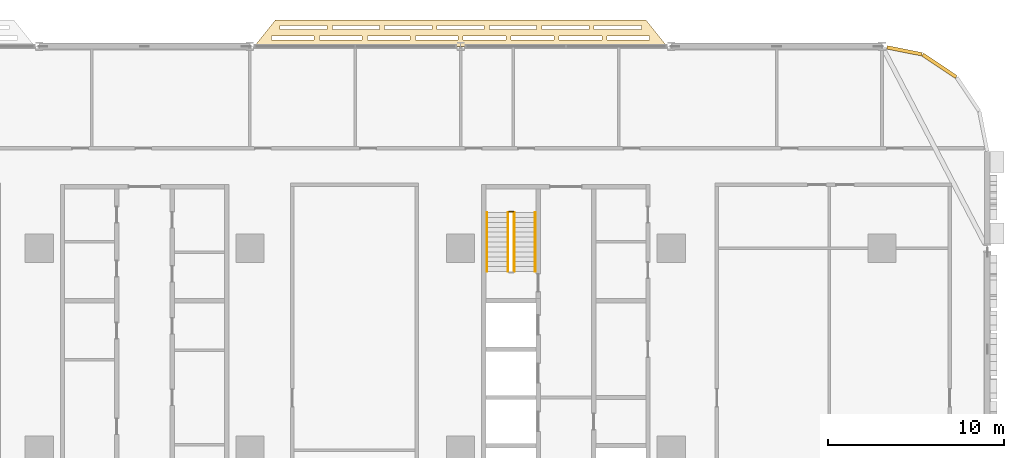
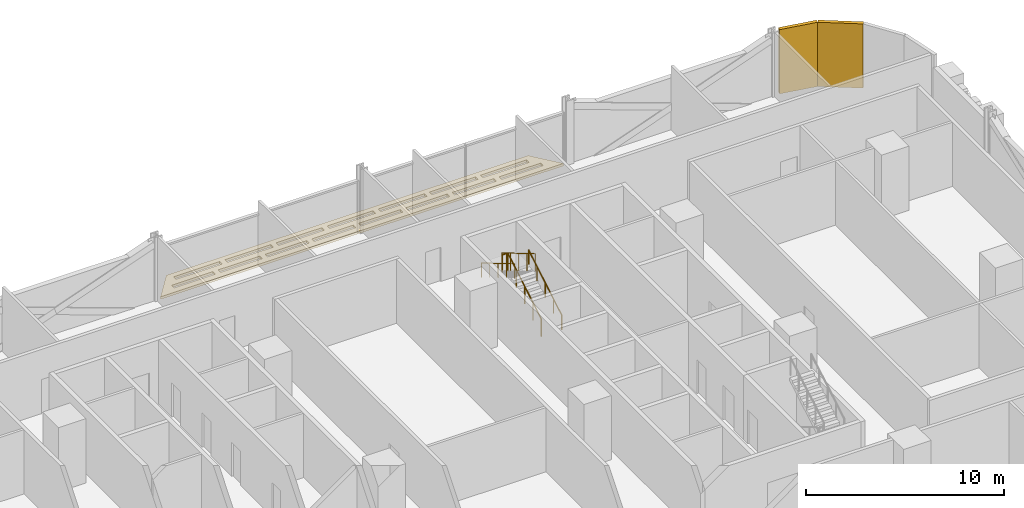
# One storey, part 27 of 28: 5 railings, 3 coverings.
"""IFC4 building model written with IfcOpenShell, lengths in metres."""

from ifc_helpers import new_model, si_unit, direction, frame, origin, origin_2d, place, context, subcontext, project, spatial, polyline, rectangle, circle, outline, extrude, material, layer, layer_set, type_object, element, save


model = new_model("IFC4")

# Units and contexts
model_context = context("Model", 3, precision=1e-05, world=origin(), true_north=direction((0.0, 1.0)))
body_context = subcontext(model_context, "Body", "Model", "MODEL_VIEW")
ifc_project = project(units=[si_unit("LENGTHUNIT", "METRE"), si_unit("AREAUNIT", "SQUARE_METRE"), si_unit("VOLUMEUNIT", "CUBIC_METRE"), si_unit("PLANEANGLEUNIT", "RADIAN"), si_unit("MASSUNIT", "GRAM", prefix="KILO")], contexts=[model_context])

# Site, building, storey
site_placement = place(None, origin())
site = spatial("IfcSite", under=ifc_project, at=site_placement, CompositionType="ELEMENT")
building_placement = place(site_placement, origin())
building = spatial("IfcBuilding", under=site, at=building_placement, Name="Mahtab Terrace Research Tower", CompositionType="ELEMENT")
storey_placement = place(building_placement, frame((0.0, 0.0, 33.0)))
storey = spatial("IfcBuildingStorey", under=building, at=storey_placement, Name="L07", CompositionType="ELEMENT", Elevation=33.0)

# Coverings
ifc_material_1 = material(Name="Black aluminium cladding panel", Category="aluminium")
ifc_layer_1 = layer(ifc_material_1, 0.199951171875)
ifc_layer_set_1 = layer_set([ifc_layer_1], Name="Black metal corner cladding 200")
covering_type_1 = type_object("IfcCoveringType", Name="Black metal corner cladding 200", PredefinedType="CLADDING", material=ifc_layer_set_1)
covering_1_placement = place(storey_placement, frame((45.26953125, 21.89306640625, 0.0), z_axis=(0.0, 0.0, 1.0), x_axis=(-0.831655794326, 0.555291490808, 0.0)))
element("IfcCovering", 1, at=covering_1_placement, inside=storey, type_object=covering_type_1, Name="Corner cladding L07 1", PredefinedType="CLADDING", context=body_context, shape_type="SweptSolid", body=[
    extrude(rectangle(XDim=2.30126953125, YDim=0.199951171875, at=origin_2d()), origin(), (0.0, 0.0, 1.0), 3.9599609375),
])
covering_2_placement = place(storey_placement, frame((43.28173828125, 22.744873046875, 0.0), z_axis=(0.0, 0.0, 1.0), x_axis=(-0.980760981187, 0.195212442692, 0.0)))
element("IfcCovering", 2, at=covering_2_placement, inside=storey, type_object=covering_type_1, Name="Corner cladding L07 2", PredefinedType="CLADDING", context=body_context, shape_type="SweptSolid", body=[
    extrude(rectangle(XDim=2.0283203125, YDim=0.199951171875, at=origin_2d()), origin(), (0.0, 0.0, 1.0), 3.9599609375),
])
ifc_material_2 = material(Name="Black anodised aluminium", Category="aluminium")
ifc_layer_2 = layer(ifc_material_2, 0.14990234375)
ifc_layer_set_2 = layer_set([ifc_layer_2], Name="Horizontal sunshade band")
covering_type_2 = type_object("IfcCoveringType", Name="Horizontal sunshade band", PredefinedType="CLADDING", material=ifc_layer_set_2)
covering_3_placement = place(storey_placement, frame((0.0, 0.0, -0.14990234375)))
element("IfcCovering", 3, at=covering_3_placement, inside=storey, type_object=covering_type_2, Name="Sunshade band L07 4", PredefinedType="CLADDING", context=body_context, shape_type="SweptSolid", body=[
    extrude(outline(polyline([(29.7509765625, 23.0), (6.2490234375, 23.0), (7.448974609375, 24.5), (28.551025390625, 24.5), (29.7509765625, 23.0)]), holes=[polyline([(28.77099609375, 23.35009765625), (26.341064453125, 23.35009765625), (26.341064453125, 23.60009765625), (28.77099609375, 23.60009765625), (28.77099609375, 23.35009765625)]), polyline([(26.041015625, 23.35009765625), (23.611083984375, 23.35009765625), (23.611083984375, 23.60009765625), (26.041015625, 23.60009765625), (26.041015625, 23.35009765625)]), polyline([(23.31103515625, 23.35009765625), (20.8798828125, 23.35009765625), (20.8798828125, 23.60009765625), (23.31103515625, 23.60009765625), (23.31103515625, 23.35009765625)]), polyline([(20.580078125, 23.35009765625), (18.14990234375, 23.35009765625), (18.14990234375, 23.60009765625), (20.580078125, 23.60009765625), (20.580078125, 23.35009765625)]), polyline([(17.85009765625, 23.35009765625), (15.419921875, 23.35009765625), (15.419921875, 23.60009765625), (17.85009765625, 23.60009765625), (17.85009765625, 23.35009765625)]), polyline([(15.1201171875, 23.35009765625), (12.68994140625, 23.35009765625), (12.68994140625, 23.60009765625), (15.1201171875, 23.60009765625), (15.1201171875, 23.35009765625)]), polyline([(12.389892578125, 23.35009765625), (9.958984375, 23.35009765625), (9.958984375, 23.60009765625), (12.389892578125, 23.60009765625), (12.389892578125, 23.35009765625)]), polyline([(9.658935546875, 23.35009765625), (7.22900390625, 23.35009765625), (7.22900390625, 23.60009765625), (9.658935546875, 23.60009765625), (9.658935546875, 23.35009765625)]), polyline([(28.291015625, 23.949951171875), (25.60791015625, 23.949951171875), (25.60791015625, 24.199951171875), (28.291015625, 24.199951171875), (28.291015625, 23.949951171875)]), polyline([(25.30810546875, 23.949951171875), (22.625, 23.949951171875), (22.625, 24.199951171875), (25.30810546875, 24.199951171875), (25.30810546875, 23.949951171875)]), polyline([(22.324951171875, 23.949951171875), (19.64208984375, 23.949951171875), (19.64208984375, 24.199951171875), (22.324951171875, 24.199951171875), (22.324951171875, 23.949951171875)]), polyline([(19.342041015625, 23.949951171875), (16.657958984375, 23.949951171875), (16.657958984375, 24.199951171875), (19.342041015625, 24.199951171875), (19.342041015625, 23.949951171875)]), polyline([(16.35791015625, 23.949951171875), (13.675048828125, 23.949951171875), (13.675048828125, 24.199951171875), (16.35791015625, 24.199951171875), (16.35791015625, 23.949951171875)]), polyline([(13.375, 23.949951171875), (10.69189453125, 23.949951171875), (10.69189453125, 24.199951171875), (13.375, 24.199951171875), (13.375, 23.949951171875)]), polyline([(10.39208984375, 23.949951171875), (7.708984375, 23.949951171875), (7.708984375, 24.199951171875), (10.39208984375, 24.199951171875), (10.39208984375, 23.949951171875)])]), origin(), (0.0, 0.0, 1.0), 0.14990234375),
])

# Railings
ifc_material_3 = material(Name="Stainless steel AISI 304", Category="steel")
railing_type_1 = type_object("IfcRailingType", Name="Stair guard 1100", PredefinedType="GUARDRAIL", material=ifc_material_3)
railing_1_placement = place(storey_placement, frame((21.050048828125, 10.175048828125, 0.165283203125)))
element("IfcRailing", 4, at=railing_1_placement, inside=storey, type_object=railing_type_1, Name="L07 ST3 stair guard 1", PredefinedType="GUARDRAIL", context=body_context, shape_type="SweptSolid", body=[
    extrude(circle(Radius=0.02392578125, at=origin_2d()), frame((0.0, 0.0, 1.076171875), z_axis=(0.0, 0.861011212953, 0.508585972249), x_axis=(-1.0, 0.0, 0.0)), (0.0, 0.0, 1.0), 3.90234375),
    extrude(circle(Radius=0.02099609375, at=origin_2d()), origin(), (0.0, 0.0, 1.0), 1.052001953125),
    extrude(circle(Radius=0.02099609375, at=origin_2d()), frame((0.0, 0.83984375, 0.49609375)), (0.0, 0.0, 1.0), 1.052001953125),
    extrude(circle(Radius=0.02099609375, at=origin_2d()), frame((0.0, 1.679931640625, 0.9921875)), (0.0, 0.0, 1.0), 1.052001953125),
    extrude(circle(Radius=0.02099609375, at=origin_2d()), frame((0.0, 2.52001953125, 1.488525390625)), (0.0, 0.0, 1.0), 1.052001953125),
    extrude(circle(Radius=0.02099609375, at=origin_2d()), frame((0.0, 3.35986328125, 1.984619140625)), (0.0, 0.0, 1.0), 1.052001953125),
])
railing_2_placement = place(storey_placement, frame((21.0, 13.5849609375, 2.14990234375)))
element("IfcRailing", 5, at=railing_2_placement, inside=storey, type_object=railing_type_1, Name="L07 ST3 stair guard 2", PredefinedType="GUARDRAIL", context=body_context, shape_type="SweptSolid", body=[
    extrude(circle(Radius=0.02392578125, at=origin_2d()), frame((0.0, 0.0, 1.076171875), z_axis=(-1.0, 0.0, 0.0), x_axis=(0.0, -1.0, 0.0)), (0.0, 0.0, 1.0), 0.25),
    extrude(circle(Radius=0.02099609375, at=origin_2d()), origin(), (0.0, 0.0, 1.0), 1.052001953125),
    extrude(circle(Radius=0.02099609375, at=origin_2d()), frame((-0.25, 0.0, 0.0)), (0.0, 0.0, 1.0), 1.052001953125),
])
railing_3_placement = place(storey_placement, frame((20.699951171875, 13.534912109375, 2.3154296875)))
element("IfcRailing", 6, at=railing_3_placement, inside=storey, type_object=railing_type_1, Name="L07 ST3 stair guard 3", PredefinedType="GUARDRAIL", context=body_context, shape_type="SweptSolid", body=[
    extrude(circle(Radius=0.02392578125, at=origin_2d()), frame((0.0, 0.0, 1.076171875), z_axis=(0.0, -0.861011212953, 0.508585972249), x_axis=(1.0, 0.0, 0.0)), (0.0, 0.0, 1.0), 3.90234375),
    extrude(circle(Radius=0.02099609375, at=origin_2d()), origin(), (0.0, 0.0, 1.0), 1.052001953125),
    extrude(circle(Radius=0.02099609375, at=origin_2d()), frame((0.0, -0.83984375, 0.49609375)), (0.0, 0.0, 1.0), 1.052001953125),
    extrude(circle(Radius=0.02099609375, at=origin_2d()), frame((0.0, -1.679931640625, 0.9921875)), (0.0, 0.0, 1.0), 1.052001953125),
    extrude(circle(Radius=0.02099609375, at=origin_2d()), frame((0.0, -2.52001953125, 1.488525390625)), (0.0, 0.0, 1.0), 1.052001953125),
    extrude(circle(Radius=0.02099609375, at=origin_2d()), frame((0.0, -3.35986328125, 1.984619140625)), (0.0, 0.0, 1.0), 1.052001953125),
])
railing_type_2 = type_object("IfcRailingType", Name="Stair handrail 900", PredefinedType="HANDRAIL", material=ifc_material_3)
railing_4_placement = place(storey_placement, frame((22.25, 10.175048828125, 0.165283203125)))
element("IfcRailing", 7, at=railing_4_placement, inside=storey, type_object=railing_type_2, Name="L07 ST3 stair handrail 1", PredefinedType="HANDRAIL", context=body_context, shape_type="SweptSolid", body=[
    extrude(circle(Radius=0.02392578125, at=origin_2d()), frame((0.0, 0.0, 0.8759765625), z_axis=(0.0, 0.861011212953, 0.508585972249), x_axis=(-1.0, 0.0, 0.0)), (0.0, 0.0, 1.0), 3.90234375),
    extrude(circle(Radius=0.02099609375, at=origin_2d()), origin(), (0.0, 0.0, 1.0), 0.851806640625),
    extrude(circle(Radius=0.02099609375, at=origin_2d()), frame((0.0, 0.83984375, 0.49609375)), (0.0, 0.0, 1.0), 0.851806640625),
    extrude(circle(Radius=0.02099609375, at=origin_2d()), frame((0.0, 1.679931640625, 0.9921875)), (0.0, 0.0, 1.0), 0.851806640625),
    extrude(circle(Radius=0.02099609375, at=origin_2d()), frame((0.0, 2.52001953125, 1.488525390625)), (0.0, 0.0, 1.0), 0.851806640625),
    extrude(circle(Radius=0.02099609375, at=origin_2d()), frame((0.0, 3.35986328125, 1.984619140625)), (0.0, 0.0, 1.0), 0.851806640625),
])
railing_5_placement = place(storey_placement, frame((19.5, 13.534912109375, 2.3154296875)))
element("IfcRailing", 8, at=railing_5_placement, inside=storey, type_object=railing_type_2, Name="L07 ST3 stair handrail 2", PredefinedType="HANDRAIL", context=body_context, shape_type="SweptSolid", body=[
    extrude(circle(Radius=0.02392578125, at=origin_2d()), frame((0.0, 0.0, 0.8759765625), z_axis=(0.0, -0.861011212953, 0.508585972249), x_axis=(1.0, 0.0, 0.0)), (0.0, 0.0, 1.0), 3.90234375),
    extrude(circle(Radius=0.02099609375, at=origin_2d()), origin(), (0.0, 0.0, 1.0), 0.851806640625),
    extrude(circle(Radius=0.02099609375, at=origin_2d()), frame((0.0, -0.83984375, 0.49609375)), (0.0, 0.0, 1.0), 0.851806640625),
    extrude(circle(Radius=0.02099609375, at=origin_2d()), frame((0.0, -1.679931640625, 0.9921875)), (0.0, 0.0, 1.0), 0.851806640625),
    extrude(circle(Radius=0.02099609375, at=origin_2d()), frame((0.0, -2.52001953125, 1.488525390625)), (0.0, 0.0, 1.0), 0.851806640625),
    extrude(circle(Radius=0.02099609375, at=origin_2d()), frame((0.0, -3.35986328125, 1.984619140625)), (0.0, 0.0, 1.0), 0.851806640625),
])

save(model, "model.ifc")
